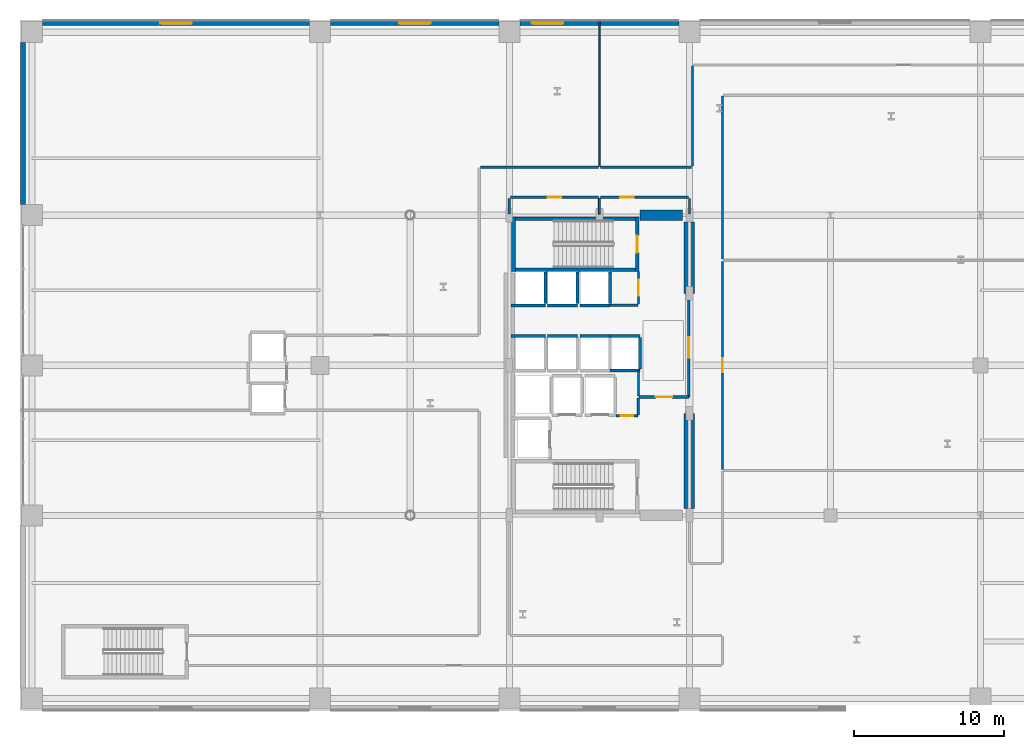
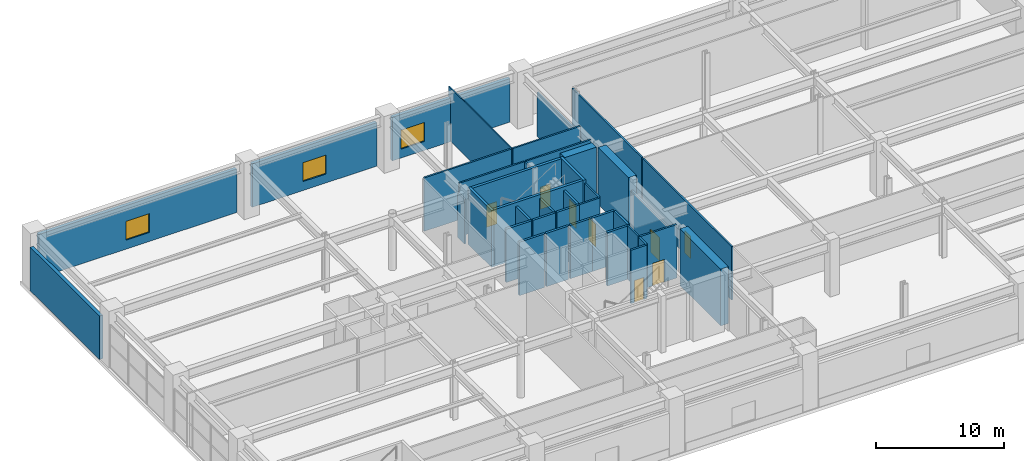
# One storey, part 21 of 28: 41 walls, 8 doors, 3 windows, 11 openings.
"""IFC4 building model written with IfcOpenShell, lengths in metres."""

from ifc_helpers import new_model, si_unit, direction, frame, frame_2d, origin, place, context, subcontext, project, spatial, rectangle, extrude, material, layer, layer_set, type_object, element, fill, save


model = new_model("IFC4")

# Units and contexts
model_context = context("Model", 3, precision=1e-05, world=origin(), true_north=direction((0.0, 1.0)))
body_context = subcontext(model_context, "Body", "Model", "MODEL_VIEW")
ifc_project = project(units=[si_unit("LENGTHUNIT", "METRE"), si_unit("AREAUNIT", "SQUARE_METRE"), si_unit("VOLUMEUNIT", "CUBIC_METRE"), si_unit("PLANEANGLEUNIT", "RADIAN"), si_unit("MASSUNIT", "GRAM", prefix="KILO")], contexts=[model_context])

# Site, building, storey
site_placement = place(None, origin())
site = spatial("IfcSite", under=ifc_project, at=site_placement, CompositionType="ELEMENT")
building_placement = place(site_placement, origin())
building = spatial("IfcBuilding", under=site, at=building_placement, Name="Soratama Intermodal Tower", CompositionType="ELEMENT")
storey_placement = place(building_placement, frame((0.0, 0.0, 6.0)))
storey = spatial("IfcBuildingStorey", under=building, at=storey_placement, Name="L01", CompositionType="ELEMENT", Elevation=6.0)

# Wall, opening, window
ifc_material_1 = material(Name="Concrete f'c 42 MPa", Category="concrete")
ifc_layer_1 = layer(ifc_material_1, 0.300048828125)
ifc_layer_set_1 = layer_set([ifc_layer_1], Name="Concrete f'c 42 MPa")
wall_type_1 = type_object("IfcWallType", Name="EW-STONE-300", PredefinedType="SOLIDWALL", material=ifc_layer_set_1)
wall_1_placement = place(storey_placement, frame((1.5, 47.800048828125, 0.0), z_axis=(0.0, 0.0, 1.0), x_axis=(1.0, 0.0, 0.0)))
wall_1 = element("IfcWall", 1, at=wall_1_placement, inside=storey, type_object=wall_type_1, Name="L01 N Limestone Wall B1", PredefinedType="SOLIDWALL", context=body_context, shape_type="SweptSolid", body=[
    extrude(rectangle(XDim=17.800048828125, YDim=0.300048828125, at=frame_2d((8.89990234375, 0.0))), origin(), (0.0, 0.0, 1.0), 4.135986328125),
])
opening_1_placement = place(wall_1_placement, frame((7.85009765625, 0.0, 0.85009765625)))
opening_1 = element("IfcOpeningElement", 2, at=opening_1_placement, cuts=wall_1, Name="Opening WN-0", PredefinedType="OPENING", context=body_context, shape_type="SweptSolid", body=[
    extrude(rectangle(XDim=2.10009765625, YDim=1.800048828125, at=frame_2d((1.050048828125, 0.89990234375))), frame((0.0, 0.159912109375, 0.0), z_axis=(0.0, -1.0, 0.0), x_axis=(1.0, 0.0, 0.0)), (0.0, 0.0, 1.0), 0.320068359375),
])
ifc_material_2 = material(Name="Double-glazed aluminium window", Category="aluminium")
window_type = type_object("IfcWindowType", Name="WN-POD-2100", PartitioningType="SINGLE_PANEL", PredefinedType="WINDOW", material=ifc_material_2)
window_1_placement = place(opening_1_placement, origin())
window_1 = element("IfcWindow", 3, at=window_1_placement, inside=storey, type_object=window_type, Name="L01 N Window B1", OverallHeight=1.800048828125, OverallWidth=2.10009765625, PartitioningType="SINGLE_PANEL", PredefinedType="WINDOW", context=body_context, shape_type="SweptSolid", body=[
    extrude(rectangle(XDim=2.10009765625, YDim=1.800048828125, at=frame_2d((1.050048828125, 0.89990234375))), frame((0.0, 0.030029296875, 0.0), z_axis=(0.0, -1.0, 0.0), x_axis=(1.0, 0.0, 0.0)), (0.0, 0.0, 1.0), 0.06005859375),
])
fill(opening_1, window_1)

wall_2_placement = place(storey_placement, frame((20.699951171875, 47.800048828125, 0.0), z_axis=(0.0, 0.0, 1.0), x_axis=(1.0, 0.0, 0.0)))
wall_2 = element("IfcWall", 4, at=wall_2_placement, inside=storey, type_object=wall_type_1, Name="L01 N Limestone Wall B2", PredefinedType="SOLIDWALL", context=body_context, shape_type="SweptSolid", body=[
    extrude(rectangle(XDim=11.199951171875, YDim=0.300048828125, at=frame_2d((5.60009765625, 0.0))), origin(), (0.0, 0.0, 1.0), 4.135986328125),
])
opening_2_placement = place(wall_2_placement, frame((4.550048828125, 0.0, 0.85009765625)))
opening_2 = element("IfcOpeningElement", 5, at=opening_2_placement, cuts=wall_2, Name="Opening WN-0", PredefinedType="OPENING", context=body_context, shape_type="SweptSolid", body=[
    extrude(rectangle(XDim=2.10009765625, YDim=1.800048828125, at=frame_2d((1.050048828125, 0.89990234375))), frame((0.0, 0.159912109375, 0.0), z_axis=(0.0, -1.0, 0.0), x_axis=(1.0, 0.0, 0.0)), (0.0, 0.0, 1.0), 0.320068359375),
])
window_2_placement = place(opening_2_placement, origin())
window_2 = element("IfcWindow", 6, at=window_2_placement, inside=storey, type_object=window_type, Name="L01 N Window B2", OverallHeight=1.800048828125, OverallWidth=2.10009765625, PartitioningType="SINGLE_PANEL", PredefinedType="WINDOW", context=body_context, shape_type="SweptSolid", body=[
    extrude(rectangle(XDim=2.10009765625, YDim=1.800048828125, at=frame_2d((1.050048828125, 0.89990234375))), frame((0.0, 0.030029296875, 0.0), z_axis=(0.0, -1.0, 0.0), x_axis=(1.0, 0.0, 0.0)), (0.0, 0.0, 1.0), 0.06005859375),
])
fill(opening_2, window_2)

wall_3_placement = place(storey_placement, frame((33.300048828125, 47.800048828125, 0.0), z_axis=(0.0, 0.0, 1.0), x_axis=(1.0, 0.0, 0.0)))
wall_3 = element("IfcWall", 7, at=wall_3_placement, inside=storey, type_object=wall_type_1, Name="L01 N Limestone Wall B3", PredefinedType="SOLIDWALL", context=body_context, shape_type="SweptSolid", body=[
    extrude(rectangle(XDim=10.599853515625, YDim=0.300048828125, at=frame_2d((5.2998046875, 0.0))), origin(), (0.0, 0.0, 1.0), 4.135986328125),
])
opening_3_placement = place(wall_3_placement, frame((0.800048828125, 0.0, 0.85009765625)))
opening_3 = element("IfcOpeningElement", 8, at=opening_3_placement, cuts=wall_3, Name="Opening WN-0", PredefinedType="OPENING", context=body_context, shape_type="SweptSolid", body=[
    extrude(rectangle(XDim=2.10009765625, YDim=1.800048828125, at=frame_2d((1.050048828125, 0.89990234375))), frame((0.0, 0.159912109375, 0.0), z_axis=(0.0, -1.0, 0.0), x_axis=(1.0, 0.0, 0.0)), (0.0, 0.0, 1.0), 0.320068359375),
])
window_3_placement = place(opening_3_placement, origin())
window_3 = element("IfcWindow", 9, at=window_3_placement, inside=storey, type_object=window_type, Name="L01 N Window B3", OverallHeight=1.800048828125, OverallWidth=2.10009765625, PartitioningType="SINGLE_PANEL", PredefinedType="WINDOW", context=body_context, shape_type="SweptSolid", body=[
    extrude(rectangle(XDim=2.10009765625, YDim=1.800048828125, at=frame_2d((1.050048828125, 0.89990234375))), frame((0.0, 0.030029296875, 0.0), z_axis=(0.0, -1.0, 0.0), x_axis=(1.0, 0.0, 0.0)), (0.0, 0.0, 1.0), 0.06005859375),
])
fill(opening_3, window_3)

# Wall
wall_4_placement = place(storey_placement, frame((0.199951171875, 35.699951171875, 0.0), z_axis=(0.0, 0.0, 1.0), x_axis=(0.0, 1.0, 0.0)))
element("IfcWall", 10, at=wall_4_placement, inside=storey, type_object=wall_type_1, Name="L01 Perimeter Wall WN", PredefinedType="SOLIDWALL", context=body_context, shape_type="SweptSolid", body=[
    extrude(rectangle(XDim=10.800048828125, YDim=0.300048828125, at=frame_2d((5.39990234375, 0.0))), origin(), (0.0, 0.0, 1.0), 4.135986328125),
])

# Wall, opening, door
ifc_material_3 = material(Name="Fire-rated gypsum stud partition", Category="concrete")
ifc_layer_2 = layer(ifc_material_3, 0.14990234375)
ifc_layer_set_2 = layer_set([ifc_layer_2], Name="Fire-rated gypsum stud partition")
wall_type_2 = type_object("IfcWallType", Name="IW-PART-R150", PredefinedType="PARTITIONING", material=ifc_layer_set_2)
wall_5_placement = place(storey_placement, frame((46.800048828125, 31.929931640625, 0.0), z_axis=(0.0, 0.0, 1.0), x_axis=(0.0, -1.0, 0.0)))
wall_5 = element("IfcWall", 11, at=wall_5_placement, inside=storey, type_object=wall_type_2, Name="L01 Partition W-L01-TP010", PredefinedType="PARTITIONING", context=body_context, shape_type="SweptSolid", body=[
    extrude(rectangle(XDim=13.85986328125, YDim=0.14990234375, at=frame_2d((6.929931640625, 0.0))), origin(), (0.0, 0.0, 1.0), 5.080078125),
])
opening_4_placement = place(wall_5_placement, frame((6.455078125, 0.0, 0.0)))
opening_4 = element("IfcOpeningElement", 12, at=opening_4_placement, cuts=wall_5, Name="Opening ID-6", PredefinedType="OPENING", context=body_context, shape_type="SweptSolid", body=[
    extrude(rectangle(XDim=0.919921875, YDim=2.1201171875, at=frame_2d((0.4599609375, 1.06005859375))), frame((0.0, 0.0849609375, 0.0), z_axis=(0.0, -1.0, 0.0), x_axis=(1.0, 0.0, 0.0)), (0.0, 0.0, 1.0), 0.169921875),
])
ifc_material_4 = material(Name="Solid hardwood acoustic door", Category="wood")
door_type_1 = type_object("IfcDoorType", Name="DR-ROOM-920", OperationType="NOTDEFINED", PredefinedType="DOOR", material=ifc_material_4)
door_1_placement = place(opening_4_placement, origin())
door_1 = element("IfcDoor", 13, at=door_1_placement, inside=storey, type_object=door_type_1, Name="L01 Door D-L01-TP003", OperationType="SINGLE_SWING_RIGHT", OverallHeight=2.1201171875, OverallWidth=0.919921875, PredefinedType="DOOR", context=body_context, shape_type="SweptSolid", body=[
    extrude(rectangle(XDim=0.919921875, YDim=2.1201171875, at=frame_2d((0.4599609375, 1.06005859375))), frame((0.0, 0.02490234375, 0.0), z_axis=(0.0, -1.0, 0.0), x_axis=(1.0, 0.0, 0.0)), (0.0, 0.0, 1.0), 0.050048828125),
])
fill(opening_4, door_1)

# Walls
wall_6_placement = place(storey_placement, frame((46.800048828125, 42.929931640625, 0.0), z_axis=(0.0, 0.0, 1.0), x_axis=(0.0, -1.0, 0.0)))
element("IfcWall", 14, at=wall_6_placement, inside=storey, type_object=wall_type_2, Name="L01 Partition W-L01-TP014", PredefinedType="PARTITIONING", context=body_context, shape_type="SweptSolid", body=[
    extrude(rectangle(XDim=10.85986328125, YDim=0.14990234375, at=frame_2d((5.429931640625, 0.0))), origin(), (0.0, 0.0, 1.0), 5.080078125),
])
wall_7_placement = place(storey_placement, frame((30.669921875, 38.199951171875, 0.0), z_axis=(0.0, 0.0, 1.0), x_axis=(1.0, 0.0, 0.0)))
element("IfcWall", 15, at=wall_7_placement, inside=storey, type_object=wall_type_2, Name="L01 Partition W-L01-TP017", PredefinedType="PARTITIONING", context=body_context, shape_type="SweptSolid", body=[
    extrude(rectangle(XDim=7.860107421875, YDim=0.14990234375, at=frame_2d((3.93017578125, 0.0))), origin(), (0.0, 0.0, 1.0), 5.080078125),
])

# Wall, opening, door
wall_8_placement = place(storey_placement, frame((44.56005859375, 29.800048828125, 0.0), z_axis=(0.0, 0.0, 1.0), x_axis=(0.0, -1.0, 0.0)))
wall_8 = element("IfcWall", 16, at=wall_8_placement, inside=storey, type_object=wall_type_2, Name="L01 Partition W-L01-TP018", PredefinedType="PARTITIONING", context=body_context, shape_type="SweptSolid", body=[
    extrude(rectangle(XDim=6.91015625, YDim=0.14990234375, at=frame_2d((3.455078125, 0.0))), origin(), (0.0, 0.0, 1.0), 4.1201171875),
])
opening_5_placement = place(wall_8_placement, frame((2.9150390625, 0.0, 0.0)))
opening_5 = element("IfcOpeningElement", 17, at=opening_5_placement, cuts=wall_8, Name="Opening ID-2", PredefinedType="OPENING", context=body_context, shape_type="SweptSolid", body=[
    extrude(rectangle(XDim=1.3798828125, YDim=2.199951171875, at=frame_2d((0.68994140625, 1.10009765625))), frame((0.0, 0.0849609375, 0.0), z_axis=(0.0, -1.0, 0.0), x_axis=(1.0, 0.0, 0.0)), (0.0, 0.0, 1.0), 0.169921875),
])
ifc_material_5 = material(Name="Solid hardwood acoustic door", Category="wood")
door_type_2 = type_object("IfcDoorType", Name="DR-POD-1400", OperationType="NOTDEFINED", PredefinedType="DOOR", material=ifc_material_5)
door_2_placement = place(opening_5_placement, origin())
door_2 = element("IfcDoor", 18, at=door_2_placement, inside=storey, type_object=door_type_2, Name="L01 Door D-L01-TP005", OperationType="SINGLE_SWING_RIGHT", OverallHeight=2.199951171875, OverallWidth=1.3798828125, PredefinedType="DOOR", context=body_context, shape_type="SweptSolid", body=[
    extrude(rectangle(XDim=1.3798828125, YDim=2.199951171875, at=frame_2d((0.68994140625, 1.10009765625))), frame((0.0, 0.02490234375, 0.0), z_axis=(0.0, -1.0, 0.0), x_axis=(1.0, 0.0, 0.0)), (0.0, 0.0, 1.0), 0.050048828125),
])
fill(opening_5, door_2)

# Walls
wall_9_placement = place(storey_placement, frame((44.800048828125, 38.27001953125, 0.0), z_axis=(0.0, 0.0, 1.0), x_axis=(0.0, 1.0, 0.0)))
element("IfcWall", 19, at=wall_9_placement, inside=storey, type_object=wall_type_2, Name="L01 Partition W-L01-TP019", PredefinedType="PARTITIONING", context=body_context, shape_type="SweptSolid", body=[
    extrude(rectangle(XDim=6.659912109375, YDim=0.14990234375, at=frame_2d((3.330078125, 0.0))), origin(), (0.0, 0.0, 1.0), 4.201904296875),
])
wall_10_placement = place(storey_placement, frame((38.669921875, 38.199951171875, 0.0), z_axis=(0.0, 0.0, 1.0), x_axis=(1.0, 0.0, 0.0)))
element("IfcWall", 20, at=wall_10_placement, inside=storey, type_object=wall_type_2, Name="L01 Partition W-L01-TP021", PredefinedType="PARTITIONING", context=body_context, shape_type="SweptSolid", body=[
    extrude(rectangle(XDim=6.06005859375, YDim=0.14990234375, at=frame_2d((3.030029296875, 0.0))), origin(), (0.0, 0.0, 1.0), 5.080078125),
])

# Wall, opening, door
wall_11_placement = place(storey_placement, frame((38.530029296875, 36.199951171875, 0.0), z_axis=(0.0, 0.0, 1.0), x_axis=(-1.0, 0.0, 0.0)))
wall_11 = element("IfcWall", 21, at=wall_11_placement, inside=storey, type_object=wall_type_2, Name="L01 Partition W-L01-TP022", PredefinedType="PARTITIONING", context=body_context, shape_type="SweptSolid", body=[
    extrude(rectangle(XDim=5.860107421875, YDim=0.14990234375, at=frame_2d((2.93017578125, 0.0))), origin(), (0.0, 0.0, 1.0), 5.080078125),
])
opening_6_placement = place(wall_11_placement, frame((2.455078125, 0.0, 0.0)))
opening_6 = element("IfcOpeningElement", 22, at=opening_6_placement, cuts=wall_11, Name="Opening ID-6", PredefinedType="OPENING", context=body_context, shape_type="SweptSolid", body=[
    extrude(rectangle(XDim=0.919921875, YDim=2.1201171875, at=frame_2d((0.4599609375, 1.06005859375))), frame((0.0, 0.0849609375, 0.0), z_axis=(0.0, -1.0, 0.0), x_axis=(1.0, 0.0, 0.0)), (0.0, 0.0, 1.0), 0.169921875),
])
door_3_placement = place(opening_6_placement, origin())
door_3 = element("IfcDoor", 23, at=door_3_placement, inside=storey, type_object=door_type_1, Name="L01 Door D-L01-TP006", OperationType="SINGLE_SWING_LEFT", OverallHeight=2.1201171875, OverallWidth=0.919921875, PredefinedType="DOOR", context=body_context, shape_type="SweptSolid", body=[
    extrude(rectangle(XDim=0.919921875, YDim=2.1201171875, at=frame_2d((0.4599609375, 1.06005859375))), frame((0.0, 0.02490234375, 0.0), z_axis=(0.0, -1.0, 0.0), x_axis=(1.0, 0.0, 0.0)), (0.0, 0.0, 1.0), 0.050048828125),
])
fill(opening_6, door_3)

wall_12_placement = place(storey_placement, frame((44.530029296875, 36.199951171875, 0.0), z_axis=(0.0, 0.0, 1.0), x_axis=(-1.0, 0.0, 0.0)))
wall_12 = element("IfcWall", 24, at=wall_12_placement, inside=storey, type_object=wall_type_2, Name="L01 Partition W-L01-TP023", PredefinedType="PARTITIONING", context=body_context, shape_type="SweptSolid", body=[
    extrude(rectangle(XDim=5.860107421875, YDim=0.14990234375, at=frame_2d((2.93017578125, 0.0))), origin(), (0.0, 0.0, 1.0), 5.080078125),
])
opening_7_placement = place(wall_12_placement, frame((3.626953125, 0.0, 0.0)))
opening_7 = element("IfcOpeningElement", 25, at=opening_7_placement, cuts=wall_12, Name="Opening ID-6", PredefinedType="OPENING", context=body_context, shape_type="SweptSolid", body=[
    extrude(rectangle(XDim=0.919921875, YDim=2.1201171875, at=frame_2d((0.4599609375, 1.06005859375))), frame((0.0, 0.0849609375, 0.0), z_axis=(0.0, -1.0, 0.0), x_axis=(1.0, 0.0, 0.0)), (0.0, 0.0, 1.0), 0.169921875),
])
door_4_placement = place(opening_7_placement, origin())
door_4 = element("IfcDoor", 26, at=door_4_placement, inside=storey, type_object=door_type_1, Name="L01 Door D-L01-TP007", OperationType="SINGLE_SWING_RIGHT", OverallHeight=2.1201171875, OverallWidth=0.919921875, PredefinedType="DOOR", context=body_context, shape_type="SweptSolid", body=[
    extrude(rectangle(XDim=0.919921875, YDim=2.1201171875, at=frame_2d((0.4599609375, 1.06005859375))), frame((0.0, 0.02490234375, 0.0), z_axis=(0.0, -1.0, 0.0), x_axis=(1.0, 0.0, 0.0)), (0.0, 0.0, 1.0), 0.050048828125),
])
fill(opening_7, door_4)

wall_13_placement = place(storey_placement, frame((41.199951171875, 29.070068359375, 0.0), z_axis=(0.0, 0.0, 1.0), x_axis=(0.0, 1.0, 0.0)))
wall_13 = element("IfcWall", 27, at=wall_13_placement, inside=storey, type_object=wall_type_2, Name="L01 Partition W-L01-TP026", PredefinedType="PARTITIONING", context=body_context, shape_type="SweptSolid", body=[
    extrude(rectangle(XDim=2.18994140625, YDim=0.14990234375, at=frame_2d((1.094970703125, 0.0))), origin(), (0.0, 0.0, 1.0), 5.080078125),
])
opening_8_placement = place(wall_13_placement, frame((0.554931640625, 0.0, 0.0)))
opening_8 = element("IfcOpeningElement", 28, at=opening_8_placement, cuts=wall_13, Name="Opening ID-1", PredefinedType="OPENING", context=body_context, shape_type="SweptSolid", body=[
    extrude(rectangle(XDim=1.080078125, YDim=2.14990234375, at=frame_2d((0.5400390625, 1.074951171875))), frame((0.0, 0.0849609375, 0.0), z_axis=(0.0, -1.0, 0.0), x_axis=(1.0, 0.0, 0.0)), (0.0, 0.0, 1.0), 0.169921875),
])
ifc_material_6 = material(Name="Solid hardwood acoustic door", Category="wood")
door_type_3 = type_object("IfcDoorType", Name="DR-LOB-FD60", OperationType="NOTDEFINED", PredefinedType="DOOR", material=ifc_material_6)
door_5_placement = place(opening_8_placement, origin())
door_5 = element("IfcDoor", 29, at=door_5_placement, inside=storey, type_object=door_type_3, Name="L01 Door D-L01-TP009", OperationType="SINGLE_SWING_RIGHT", OverallHeight=2.14990234375, OverallWidth=1.080078125, PredefinedType="DOOR", context=body_context, shape_type="SweptSolid", body=[
    extrude(rectangle(XDim=1.080078125, YDim=2.14990234375, at=frame_2d((0.5400390625, 1.074951171875))), frame((0.0, 0.02490234375, 0.0), z_axis=(0.0, -1.0, 0.0), x_axis=(1.0, 0.0, 0.0)), (0.0, 0.0, 1.0), 0.050048828125),
])
fill(opening_8, door_5)

# Walls
wall_14_placement = place(storey_placement, frame((39.300048828125, 29.010009765625, 0.0), z_axis=(0.0, 0.0, 1.0), x_axis=(1.0, 0.0, 0.0)))
element("IfcWall", 30, at=wall_14_placement, inside=storey, type_object=wall_type_2, Name="L01 Partition W-L01-TP029", PredefinedType="PARTITIONING", context=body_context, shape_type="SweptSolid", body=[
    extrude(rectangle(XDim=1.85986328125, YDim=0.14990234375, at=frame_2d((0.929931640625, 0.0))), origin(), (0.0, 0.0, 1.0), 5.080078125),
])
wall_15_placement = place(storey_placement, frame((41.199951171875, 22.9599609375, 0.0), z_axis=(0.0, 0.0, 1.0), x_axis=(0.0, 1.0, 0.0)))
element("IfcWall", 31, at=wall_15_placement, inside=storey, type_object=wall_type_2, Name="L01 Partition W-L01-TP030", PredefinedType="PARTITIONING", context=body_context, shape_type="SweptSolid", body=[
    extrude(rectangle(XDim=1.68994140625, YDim=0.14990234375, at=frame_2d((0.844970703125, 0.0))), origin(), (0.0, 0.0, 1.0), 5.080078125),
])
for number, where, z_axis, x_axis, name in (
    (32, (32.60009765625, 36.1298828125, 0.0), (0.0, 0.0, 1.0), (0.0, -1.0, 0.0), "L01 Partition W-L01-TP035"),
    (33, (44.60009765625, 35.070068359375, 0.0), (0.0, 0.0, 1.0), (0.0, 1.0, 0.0), "L01 Partition W-L01-TP036"),
):
    element("IfcWall", number, at=place(storey_placement, frame(where, z_axis=z_axis, x_axis=x_axis)), inside=storey, type_object=wall_type_2, Name=name, PredefinedType="PARTITIONING", context=body_context, shape_type="SweptSolid", body=[
        extrude(rectangle(XDim=1.059814453125, YDim=0.14990234375, at=frame_2d((0.52978515625, 0.0))), origin(), (0.0, 0.0, 1.0), 4.201904296875),
    ])

# Wall, opening, door
ifc_material_7 = material(Name="Fire-rated gypsum stud partition", Category="concrete")
ifc_layer_3 = layer(ifc_material_7, 0.169921875)
ifc_layer_set_3 = layer_set([ifc_layer_3], Name="Fire-rated gypsum stud partition")
wall_type_3 = type_object("IfcWallType", Name="IW-PART-R170", PredefinedType="PARTITIONING", material=ifc_layer_set_3)
wall_16_placement = place(storey_placement, frame((41.239990234375, 22.889892578125, 0.0), z_axis=(0.0, 0.0, 1.0), x_axis=(1.0, 0.0, 0.0)))
wall_16 = element("IfcWall", 34, at=wall_16_placement, inside=storey, type_object=wall_type_3, Name="L01 Partition W-L01-TP024", PredefinedType="PARTITIONING", context=body_context, shape_type="SweptSolid", body=[
    extrude(rectangle(XDim=3.320068359375, YDim=0.169921875, at=frame_2d((1.66015625, 0.0))), origin(), (0.0, 0.0, 1.0), 5.080078125),
])
opening_9_placement = place(wall_16_placement, frame((1.1201171875, 0.0, 0.0)))
opening_9 = element("IfcOpeningElement", 35, at=opening_9_placement, cuts=wall_16, Name="Opening ID-0", PredefinedType="OPENING", context=body_context, shape_type="SweptSolid", body=[
    extrude(rectangle(XDim=1.080078125, YDim=2.14990234375, at=frame_2d((0.5400390625, 1.074951171875))), frame((0.0, 0.094970703125, 0.0), z_axis=(0.0, -1.0, 0.0), x_axis=(1.0, 0.0, 0.0)), (0.0, 0.0, 1.0), 0.18994140625),
])
ifc_material_8 = material(Name="Solid hardwood acoustic door", Category="wood")
door_type_4 = type_object("IfcDoorType", Name="DR-LOB-FD90", OperationType="NOTDEFINED", PredefinedType="DOOR", material=ifc_material_8)
door_6_placement = place(opening_9_placement, origin())
door_6 = element("IfcDoor", 36, at=door_6_placement, inside=storey, type_object=door_type_4, Name="L01 Door D-L01-TP008", OperationType="SINGLE_SWING_LEFT", OverallHeight=2.14990234375, OverallWidth=1.080078125, PredefinedType="DOOR", context=body_context, shape_type="SweptSolid", body=[
    extrude(rectangle(XDim=1.080078125, YDim=2.14990234375, at=frame_2d((0.5400390625, 1.074951171875))), frame((0.0, 0.02490234375, 0.0), z_axis=(0.0, -1.0, 0.0), x_axis=(1.0, 0.0, 0.0)), (0.0, 0.0, 1.0), 0.050048828125),
])
fill(opening_9, door_6)

wall_17_placement = place(storey_placement, frame((39.719970703125, 21.639892578125, 0.0), z_axis=(0.0, 0.0, 1.0), x_axis=(1.0, 0.0, 0.0)))
wall_17 = element("IfcWall", 37, at=wall_17_placement, inside=storey, type_object=wall_type_3, Name="L01 Partition W-L01-TP031", PredefinedType="PARTITIONING", context=body_context, shape_type="SweptSolid", body=[
    extrude(rectangle(XDim=1.43994140625, YDim=0.169921875, at=frame_2d((0.719970703125, 0.0))), origin(), (0.0, 0.0, 1.0), 5.080078125),
])
opening_10_placement = place(wall_17_placement, frame((0.294921875, 0.0, 0.0)))
opening_10 = element("IfcOpeningElement", 38, at=opening_10_placement, cuts=wall_17, Name="Opening ID-4", PredefinedType="OPENING", context=body_context, shape_type="SweptSolid", body=[
    extrude(rectangle(XDim=0.85009765625, YDim=2.10009765625, at=frame_2d((0.425048828125, 1.050048828125))), frame((0.0, 0.094970703125, 0.0), z_axis=(0.0, -1.0, 0.0), x_axis=(1.0, 0.0, 0.0)), (0.0, 0.0, 1.0), 0.18994140625),
])
ifc_material_9 = material(Name="Solid hardwood acoustic door", Category="wood")
door_type_5 = type_object("IfcDoorType", Name="DR-BATH-850", OperationType="NOTDEFINED", PredefinedType="DOOR", material=ifc_material_9)
door_7_placement = place(opening_10_placement, origin())
door_7 = element("IfcDoor", 39, at=door_7_placement, inside=storey, type_object=door_type_5, Name="L01 Door D-L01-TP010", OperationType="SINGLE_SWING_LEFT", OverallHeight=2.10009765625, OverallWidth=0.85009765625, PredefinedType="DOOR", context=body_context, shape_type="SweptSolid", body=[
    extrude(rectangle(XDim=0.85009765625, YDim=2.10009765625, at=frame_2d((0.425048828125, 1.050048828125))), frame((0.0, 0.02490234375, 0.0), z_axis=(0.0, -1.0, 0.0), x_axis=(1.0, 0.0, 0.0)), (0.0, 0.0, 1.0), 0.050048828125),
])
fill(opening_10, door_7)

# Walls
wall_18_placement = place(storey_placement, frame((41.199951171875, 21.699951171875, 0.0), z_axis=(0.0, 0.0, 1.0), x_axis=(0.0, 1.0, 0.0)))
element("IfcWall", 40, at=wall_18_placement, inside=storey, type_object=wall_type_3, Name="L01 Partition W-L01-TP034", PredefinedType="PARTITIONING", context=body_context, shape_type="SweptSolid", body=[
    extrude(rectangle(XDim=1.1201171875, YDim=0.169921875, at=frame_2d((0.56005859375, 0.0))), origin(), (0.0, 0.0, 1.0), 5.080078125),
])
ifc_material_10 = material(Name="Fire-rated gypsum stud partition", Category="concrete")
ifc_layer_4 = layer(ifc_material_10, 0.10009765625)
ifc_layer_set_4 = layer_set([ifc_layer_4], Name="Fire-rated gypsum stud partition")
wall_type_4 = type_object("IfcWallType", Name="IW-PART-S100", PredefinedType="PARTITIONING", material=ifc_layer_set_4)
wall_19_placement = place(storey_placement, frame((38.60009765625, 48.0, 0.0), z_axis=(0.0, 0.0, 1.0), x_axis=(0.0, -1.0, 0.0)))
element("IfcWall", 41, at=wall_19_placement, inside=storey, type_object=wall_type_4, Name="L01 Partition W-L01-TP015", PredefinedType="PARTITIONING", context=body_context, shape_type="SweptSolid", body=[
    extrude(rectangle(XDim=9.72998046875, YDim=0.10009765625, at=frame_2d((4.864990234375, 0.0))), origin(), (0.0, 0.0, 1.0), 5.080078125),
])
ifc_material_11 = material(Name="Fire-rated gypsum stud partition", Category="concrete")
ifc_layer_5 = layer(ifc_material_11, 0.1298828125)
ifc_layer_set_5 = layer_set([ifc_layer_5], Name="Fire-rated gypsum stud partition")
wall_type_5 = type_object("IfcWallType", Name="IW-PART-S130", PredefinedType="PARTITIONING", material=ifc_layer_set_5)
wall_20_placement = place(storey_placement, frame((38.60009765625, 36.1298828125, 0.0), z_axis=(0.0, 0.0, 1.0), x_axis=(0.0, -1.0, 0.0)))
element("IfcWall", 42, at=wall_20_placement, inside=storey, type_object=wall_type_5, Name="L01 Partition W-L01-TP037", PredefinedType="PARTITIONING", context=body_context, shape_type="SweptSolid", body=[
    extrude(rectangle(XDim=1.059814453125, YDim=0.1298828125, at=frame_2d((0.52978515625, 0.0))), origin(), (0.0, 0.0, 1.0), 5.080078125),
])
ifc_material_12 = material(Name="Concrete f'c 42 MPa", Category="concrete")
ifc_layer_6 = layer(ifc_material_12, 0.199951171875)
ifc_layer_set_6 = layer_set([ifc_layer_6], Name="Concrete f'c 42 MPa")
wall_type_6 = type_object("IfcWallType", Name="IW-SHAFT-200", PredefinedType="SOLIDWALL", material=ifc_layer_set_6)
wall_21_placement = place(storey_placement, frame((32.719970703125, 26.949951171875, 0.0), z_axis=(0.0, 0.0, 1.0), x_axis=(1.0, 0.0, 0.0)))
element("IfcWall", 43, at=wall_21_placement, inside=storey, type_object=wall_type_6, Name="L01 PL-L1 Hoistway Wall N", PredefinedType="SOLIDWALL", context=body_context, shape_type="SweptSolid", body=[
    extrude(rectangle(XDim=2.280029296875, YDim=0.199951171875, at=frame_2d((1.14013671875, 0.0))), origin(), (0.0, 0.0, 1.0), 5.080078125),
])
for number, where, z_axis, x_axis, name in (
    (44, (35.14990234375, 26.949951171875, 0.0), (0.0, 0.0, 1.0), (1.0, 0.0, 0.0), "L01 PL-L2 Hoistway Wall N"),
    (45, (37.300048828125, 26.949951171875, 0.0), (0.0, 0.0, 1.0), (1.0, 0.0, 0.0), "L01 PL-L3 Hoistway Wall N"),
    (46, (39.300048828125, 24.64990234375, 0.0), (0.0, 0.0, 1.0), (1.0, 0.0, 0.0), "L01 PL-M1 Hoistway Wall S"),
    (47, (39.300048828125, 26.949951171875, 0.0), (0.0, 0.0, 1.0), (1.0, 0.0, 0.0), "L01 PL-M1 Hoistway Wall N"),
):
    element("IfcWall", number, at=place(storey_placement, frame(where, z_axis=z_axis, x_axis=x_axis)), inside=storey, type_object=wall_type_6, Name=name, PredefinedType="SOLIDWALL", context=body_context, shape_type="SweptSolid", body=[
        extrude(rectangle(XDim=2.0, YDim=0.199951171875, at=frame_2d((1.0, 0.0))), origin(), (0.0, 0.0, 1.0), 5.080078125),
    ])
wall_22_placement = place(storey_placement, frame((41.300048828125, 24.760009765625, 0.0), z_axis=(0.0, 0.0, 1.0), x_axis=(0.0, 1.0, 0.0)))
element("IfcWall", 48, at=wall_22_placement, inside=storey, type_object=wall_type_6, Name="L01 PL-M1 Hoistway Wall E", PredefinedType="SOLIDWALL", context=body_context, shape_type="SweptSolid", body=[
    extrude(rectangle(XDim=2.080078125, YDim=0.199951171875, at=frame_2d((1.0400390625, 0.0))), origin(), (0.0, 0.0, 1.0), 5.080078125),
])
wall_23_placement = place(storey_placement, frame((32.719970703125, 29.0, 0.0), z_axis=(0.0, 0.0, 1.0), x_axis=(1.0, 0.0, 0.0)))
element("IfcWall", 49, at=wall_23_placement, inside=storey, type_object=wall_type_6, Name="L01 PL-M2 Hoistway Wall S", PredefinedType="SOLIDWALL", context=body_context, shape_type="SweptSolid", body=[
    extrude(rectangle(XDim=2.280029296875, YDim=0.199951171875, at=frame_2d((1.14013671875, 0.0))), origin(), (0.0, 0.0, 1.0), 5.080078125),
])
wall_24_placement = place(storey_placement, frame((35.0, 29.110107421875, 0.0), z_axis=(0.0, 0.0, 1.0), x_axis=(0.0, 1.0, 0.0)))
element("IfcWall", 50, at=wall_24_placement, inside=storey, type_object=wall_type_6, Name="L01 PL-M2 Hoistway Wall E", PredefinedType="SOLIDWALL", context=body_context, shape_type="SweptSolid", body=[
    extrude(rectangle(XDim=2.099853515625, YDim=0.199951171875, at=frame_2d((1.0498046875, 0.0))), origin(), (0.0, 0.0, 1.0), 5.080078125),
])
wall_25_placement = place(storey_placement, frame((35.14990234375, 29.0, 0.0), z_axis=(0.0, 0.0, 1.0), x_axis=(1.0, 0.0, 0.0)))
element("IfcWall", 51, at=wall_25_placement, inside=storey, type_object=wall_type_6, Name="L01 PL-H1 Hoistway Wall S", PredefinedType="SOLIDWALL", context=body_context, shape_type="SweptSolid", body=[
    extrude(rectangle(XDim=2.0, YDim=0.199951171875, at=frame_2d((1.0, 0.0))), origin(), (0.0, 0.0, 1.0), 5.080078125),
])
wall_26_placement = place(storey_placement, frame((37.14990234375, 29.110107421875, 0.0), z_axis=(0.0, 0.0, 1.0), x_axis=(0.0, 1.0, 0.0)))
element("IfcWall", 52, at=wall_26_placement, inside=storey, type_object=wall_type_6, Name="L01 PL-H1 Hoistway Wall E", PredefinedType="SOLIDWALL", context=body_context, shape_type="SweptSolid", body=[
    extrude(rectangle(XDim=2.099853515625, YDim=0.199951171875, at=frame_2d((1.0498046875, 0.0))), origin(), (0.0, 0.0, 1.0), 5.080078125),
])
wall_27_placement = place(storey_placement, frame((37.300048828125, 29.0, 0.0), z_axis=(0.0, 0.0, 1.0), x_axis=(1.0, 0.0, 0.0)))
element("IfcWall", 53, at=wall_27_placement, inside=storey, type_object=wall_type_6, Name="L01 PL-H2 Hoistway Wall S", PredefinedType="SOLIDWALL", context=body_context, shape_type="SweptSolid", body=[
    extrude(rectangle(XDim=2.0, YDim=0.199951171875, at=frame_2d((1.0, 0.0))), origin(), (0.0, 0.0, 1.0), 5.080078125),
])
wall_28_placement = place(storey_placement, frame((39.300048828125, 29.110107421875, 0.0), z_axis=(0.0, 0.0, 1.0), x_axis=(0.0, 1.0, 0.0)))
element("IfcWall", 54, at=wall_28_placement, inside=storey, type_object=wall_type_6, Name="L01 PL-H2 Hoistway Wall E", PredefinedType="SOLIDWALL", context=body_context, shape_type="SweptSolid", body=[
    extrude(rectangle(XDim=2.099853515625, YDim=0.199951171875, at=frame_2d((1.0498046875, 0.0))), origin(), (0.0, 0.0, 1.0), 5.080078125),
])
ifc_material_13 = material(Name="Concrete f'c 56 MPa", Category="concrete")
ifc_layer_7 = layer(ifc_material_13, 0.699951171875)
ifc_layer_set_7 = layer_set([ifc_layer_7], Name="Concrete f'c 56 MPa")
wall_type_7 = type_object("IfcWallType", Name="SW-CORE-700", PredefinedType="SHEAR", material=ifc_layer_set_7)
wall_29_placement = place(storey_placement, frame((41.300048828125, 35.0, 0.0), z_axis=(0.0, 0.0, 1.0), x_axis=(1.0, 0.0, 0.0)))
element("IfcWall", 55, at=wall_29_placement, inside=storey, type_object=wall_type_7, Name="L01 Core Shear Wall CW-NE", PredefinedType="SHEAR", context=body_context, shape_type="SweptSolid", body=[
    extrude(rectangle(XDim=2.849853515625, YDim=0.699951171875, at=frame_2d((1.4248046875, 0.0))), origin(), (0.0, 0.0, 1.0), 5.39990234375),
])
wall_30_placement = place(storey_placement, frame((44.60009765625, 15.449951171875, 0.0), z_axis=(0.0, 0.0, 1.0), x_axis=(0.0, 1.0, 0.0)))
element("IfcWall", 56, at=wall_30_placement, inside=storey, type_object=wall_type_7, Name="L01 Core Shear Wall CW-ES", PredefinedType="SHEAR", context=body_context, shape_type="SweptSolid", body=[
    extrude(rectangle(XDim=6.35009765625, YDim=0.699951171875, at=frame_2d((3.175048828125, 0.0))), origin(), (0.0, 0.0, 1.0), 5.39990234375),
])
wall_31_placement = place(storey_placement, frame((44.60009765625, 29.800048828125, 0.0), z_axis=(0.0, 0.0, 1.0), x_axis=(0.0, 1.0, 0.0)))
element("IfcWall", 57, at=wall_31_placement, inside=storey, type_object=wall_type_7, Name="L01 Core Shear Wall CW-EN", PredefinedType="SHEAR", context=body_context, shape_type="SweptSolid", body=[
    extrude(rectangle(XDim=4.75, YDim=0.699951171875, at=frame_2d((2.375, 0.0))), origin(), (0.0, 0.0, 1.0), 5.39990234375),
])
ifc_material_14 = material(Name="Concrete f'c 56 MPa", Category="concrete")
ifc_layer_8 = layer(ifc_material_14, 0.239990234375)
ifc_layer_set_8 = layer_set([ifc_layer_8], Name="Concrete f'c 56 MPa")
wall_type_8 = type_object("IfcWallType", Name="SW-STAIR-240", PredefinedType="SHEAR", material=ifc_layer_set_8)
wall_32_placement = place(storey_placement, frame((32.8798828125, 31.260009765625, 0.0), z_axis=(0.0, 0.0, 1.0), x_axis=(0.0, 1.0, 0.0)))
element("IfcWall", 58, at=wall_32_placement, inside=storey, type_object=wall_type_8, Name="L01 ST-2 Shaft Shear Wall W", PredefinedType="SHEAR", context=body_context, shape_type="SweptSolid", body=[
    extrude(rectangle(XDim=3.6298828125, YDim=0.239990234375, at=frame_2d((1.81494140625, 0.0))), origin(), (0.0, 0.0, 1.0), 5.39990234375),
])

# Wall, opening, door
wall_33_placement = place(storey_placement, frame((41.1201171875, 31.260009765625, 0.0), z_axis=(0.0, 0.0, 1.0), x_axis=(0.0, 1.0, 0.0)))
wall_33 = element("IfcWall", 59, at=wall_33_placement, inside=storey, type_object=wall_type_8, Name="L01 ST-2 Shaft Shear Wall E", PredefinedType="SHEAR", context=body_context, shape_type="SweptSolid", body=[
    extrude(rectangle(XDim=3.6298828125, YDim=0.239990234375, at=frame_2d((1.81494140625, 0.0))), origin(), (0.0, 0.0, 1.0), 5.39990234375),
])
opening_11_placement = place(wall_33_placement, frame((1.2548828125, 0.0, 0.0)))
opening_11 = element("IfcOpeningElement", 60, at=opening_11_placement, cuts=wall_33, Name="Opening SD-1", PredefinedType="OPENING", context=body_context, shape_type="SweptSolid", body=[
    extrude(rectangle(XDim=1.1201171875, YDim=2.14990234375, at=frame_2d((0.56005859375, 1.074951171875))), frame((0.0, 0.1298828125, 0.0), z_axis=(0.0, -1.0, 0.0), x_axis=(1.0, 0.0, 0.0)), (0.0, 0.0, 1.0), 0.260009765625),
])
ifc_material_15 = material(Name="Steel fire door", Category="steel")
door_type_6 = type_object("IfcDoorType", Name="DR-STAIR-FD90", OperationType="NOTDEFINED", PredefinedType="DOOR", material=ifc_material_15)
door_8_placement = place(opening_11_placement, origin())
door_8 = element("IfcDoor", 61, at=door_8_placement, inside=storey, type_object=door_type_6, Name="L01 ST-2 Exit Stair Door", OperationType="SINGLE_SWING_RIGHT", OverallHeight=2.14990234375, OverallWidth=1.1201171875, PredefinedType="DOOR", context=body_context, shape_type="SweptSolid", body=[
    extrude(rectangle(XDim=1.1201171875, YDim=2.14990234375, at=frame_2d((0.56005859375, 1.074951171875))), frame((0.0, 0.02490234375, 0.0), z_axis=(0.0, -1.0, 0.0), x_axis=(1.0, 0.0, 0.0)), (0.0, 0.0, 1.0), 0.050048828125),
])
fill(opening_11, door_8)

# Walls
for number, where, z_axis, x_axis, name in (
    (62, (33.0, 31.3798828125, 0.0), (0.0, 0.0, 1.0), (1.0, 0.0, 0.0), "L01 ST-2 Shaft Shear Wall S"),
    (63, (33.0, 34.77001953125, 0.0), (0.0, 0.0, 1.0), (1.0, 0.0, 0.0), "L01 ST-2 Shaft Shear Wall N"),
):
    element("IfcWall", number, at=place(storey_placement, frame(where, z_axis=z_axis, x_axis=x_axis)), inside=storey, type_object=wall_type_8, Name=name, PredefinedType="SHEAR", context=body_context, shape_type="SweptSolid", body=[
        extrude(rectangle(XDim=8.0, YDim=0.239990234375, at=frame_2d((4.0, 0.0))), origin(), (0.0, 0.0, 1.0), 5.39990234375),
    ])

save(model, "model.ifc")
